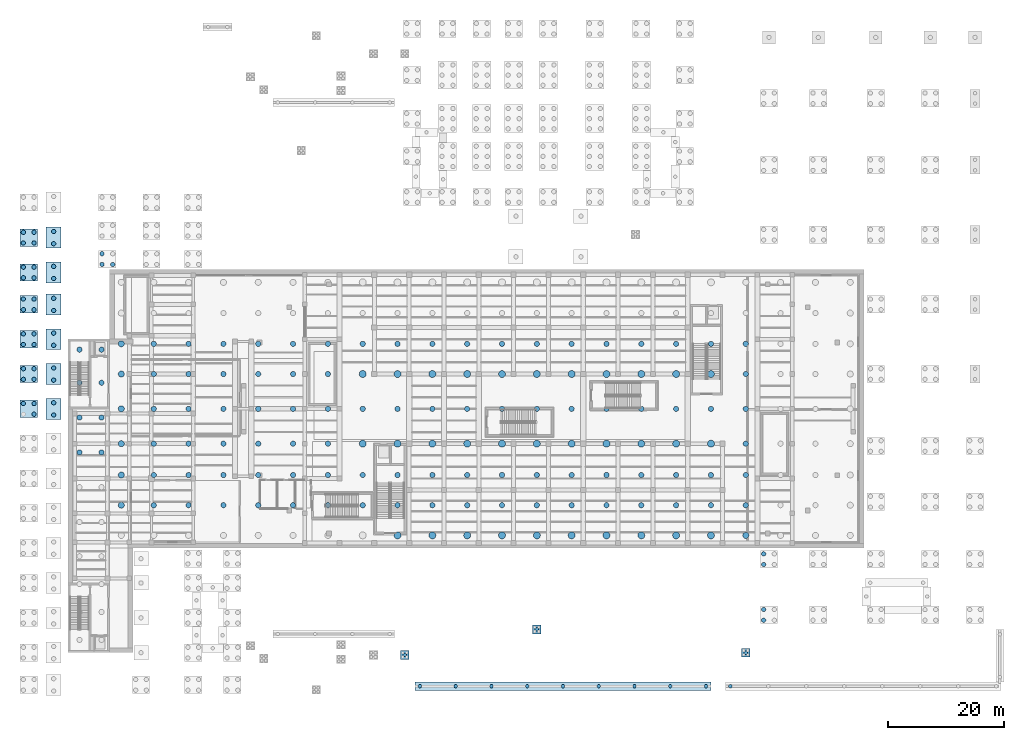
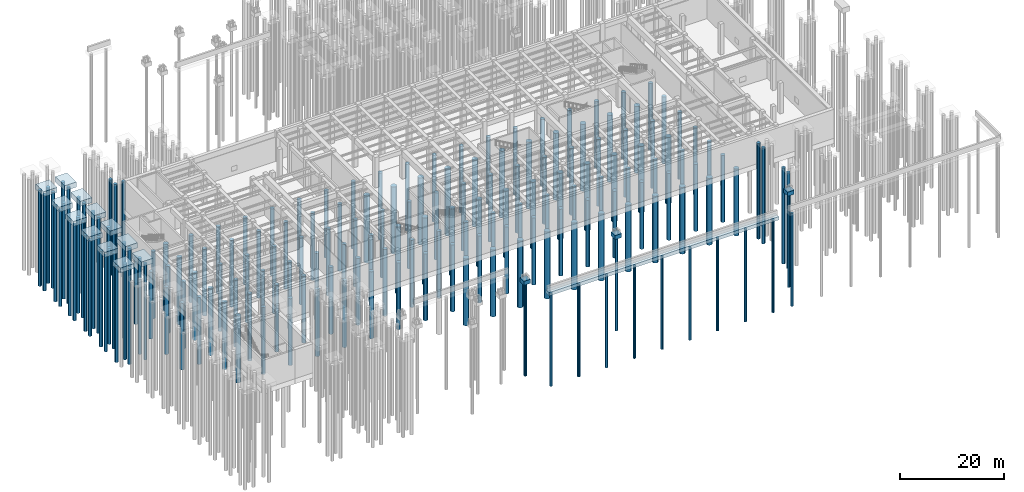
# One storey, part 2 of 30: 188 piles, 16 footings.
"""IFC4 building model written with IfcOpenShell, lengths in metres."""

import ifcopenshell
import ifcopenshell.guid

model = None  # the IFC model being written
_history = None  # IfcOwnerHistory: only IFC2X3 demands one
_inside = {}  # id of a spatial element -> (the spatial element, [elements in it])
_under = {}  # id of a project, library or spatial element -> (it, [spatial elements below it])
_declared = {}  # id of a project -> (the project, [libraries it declares])
_typed = {}  # id of a type object -> (the type object, [elements of that type])
_made_of = {}  # id of a material, layer set ... -> (it, [elements and type objects made of it])


def new_model(schema):
    """Start an empty IFC model of exactly this schema.

    Asked for "IFC4X3", IfcOpenShell would pick the latest addendum, in which some entities
    have other attributes; the version numbers below select the first issue.
    IFC2X3 requires an IfcOwnerHistory on every rooted entity: one is made here for all.
    """
    global model, _history
    if schema == "IFC4X3":
        model = ifcopenshell.file(schema_version=(4, 3, 0, 0))
    else:
        model = ifcopenshell.file(schema=schema)
    _inside.clear()
    _under.clear()
    _declared.clear()
    _typed.clear()
    _made_of.clear()
    _history = None
    if model.schema == "IFC2X3":
        org = make("IfcOrganization", Name="unknown")
        user = make(
            "IfcPersonAndOrganization",
            ThePerson=make("IfcPerson", FamilyName="unknown"),
            TheOrganization=org,
        )
        app = make(
            "IfcApplication",
            ApplicationDeveloper=org,
            Version="unknown",
            ApplicationFullName="unknown",
            ApplicationIdentifier="unknown",
        )
        _history = make(
            "IfcOwnerHistory",
            OwningUser=user,
            OwningApplication=app,
            ChangeAction="ADDED",
            CreationDate=0,
        )
    return model


def make(cls, **values):
    """One entity of the class cls with the attributes given. An attribute that is None is left unset."""
    return model.create_entity(
        cls, **{name: value for name, value in values.items() if value is not None}
    )


def rooted(cls, **values):
    """An entity with a GlobalId (a new one), such as an element, a storey or a relation."""
    return make(cls, GlobalId=ifcopenshell.guid.new(), OwnerHistory=_history, **values)


def si_unit(unit_type, name, prefix=None):
    """IfcSIUnit, for example si_unit("LENGTHUNIT", "METRE", prefix="MILLI")."""
    return make("IfcSIUnit", UnitType=unit_type, Prefix=prefix, Name=name)


def assignment(units):
    """IfcUnitAssignment: the units of a project."""
    return None if units is None else make("IfcUnitAssignment", Units=units)


def point(xyz):
    """IfcCartesianPoint."""
    return None if xyz is None else make("IfcCartesianPoint", Coordinates=xyz)


def direction(xyz):
    """IfcDirection."""
    return None if xyz is None else make("IfcDirection", DirectionRatios=xyz)


def frame(location, z_axis=None, x_axis=None):
    """IfcAxis2Placement3D, a coordinate frame: its origin and axes. An axis left out is left unset."""
    return make(
        "IfcAxis2Placement3D",
        Location=point(location),
        Axis=direction(z_axis),
        RefDirection=direction(x_axis),
    )


def frame_2d(location, x_axis=None):
    """IfcAxis2Placement2D, a coordinate frame in the plane: its origin and x axis."""
    return make(
        "IfcAxis2Placement2D", Location=point(location), RefDirection=direction(x_axis)
    )


def origin():
    """The frame at (0, 0, 0) with its axes left unset."""
    return frame((0.0, 0.0, 0.0))


def origin_2d():
    """The frame at (0, 0) in the plane with its x axis left unset."""
    return frame_2d((0.0, 0.0))


def place(relative_to, where):
    """IfcLocalPlacement: puts the frame where relative to a parent placement (None: the world)."""
    return make(
        "IfcLocalPlacement", PlacementRelTo=relative_to, RelativePlacement=where
    )


def context(
    kind, dimensions, precision=None, world=None, true_north=None, identifier=None
):
    """IfcGeometricRepresentationContext, for example the 3D "Model" context."""
    return make(
        "IfcGeometricRepresentationContext",
        ContextIdentifier=identifier,
        ContextType=kind,
        CoordinateSpaceDimension=dimensions,
        Precision=precision,
        WorldCoordinateSystem=world,
        TrueNorth=true_north,
    )


def subcontext(parent, identifier, kind, view, scale=None):
    """IfcGeometricRepresentationSubContext, for example "Body" below "Model"."""
    return make(
        "IfcGeometricRepresentationSubContext",
        ContextIdentifier=identifier,
        ContextType=kind,
        ParentContext=parent,
        TargetScale=scale,
        TargetView=view,
    )


def project(units=None, contexts=None):
    """IfcProject with its units and contexts."""
    return rooted(
        "IfcProject",
        Name="project",
        RepresentationContexts=contexts,
        UnitsInContext=assignment(units),
    )


def spatial(cls, under=None, at=None, **own):
    """A site, building, storey or space (cls), placed at a placement, below another one or the project."""
    s = rooted(cls, ObjectPlacement=at, **own)
    if under is not None:
        _under.setdefault(under.id(), (under, []))[1].append(s)
    return s


def profile(cls, at=None, kind="AREA", **sizes):
    """A parametric profile (cls). Its sizes go by their IFC names, for example OverallWidth=200.0."""
    return make(cls, ProfileType=kind, Position=at, **sizes)


def rectangle(**sizes):
    """IfcRectangleProfileDef."""
    return profile("IfcRectangleProfileDef", **sizes)


def circle(**sizes):
    """IfcCircleProfileDef."""
    return profile("IfcCircleProfileDef", **sizes)


def extrude(swept, where, along, depth):
    """IfcExtrudedAreaSolid: the profile swept, set in the frame where, extruded along a direction by depth."""
    return make(
        "IfcExtrudedAreaSolid",
        SweptArea=swept,
        Position=where,
        ExtrudedDirection=direction(along),
        Depth=depth,
    )


def shape(context_of_items, identifier, shape_type, items):
    """IfcShapeRepresentation: the items that make up one representation, for example the "Body"."""
    return make(
        "IfcShapeRepresentation",
        ContextOfItems=context_of_items,
        RepresentationIdentifier=identifier,
        RepresentationType=shape_type,
        Items=items,
    )


def material(Name=None, Category=None):
    """IfcMaterial."""
    return make("IfcMaterial", Name=Name, Category=Category)


def material_profile(
    of_material, cross_section, Name=None, Category=None, Priority=None
):
    """IfcMaterialProfile: a cross section and its material."""
    return make(
        "IfcMaterialProfile",
        Name=Name,
        Material=of_material,
        Profile=cross_section,
        Priority=Priority,
        Category=Category,
    )


def profile_set(profiles, Name=None, composite=None):
    """IfcMaterialProfileSet."""
    return make(
        "IfcMaterialProfileSet",
        Name=Name,
        MaterialProfiles=profiles,
        CompositeProfile=composite,
    )


def made_of(thing, what):
    """Note that an element or type object is made of a material, layer set ...; save() writes the relation."""
    if what is not None:
        _made_of.setdefault(what.id(), (what, []))[1].append(thing)
    return thing


def type_object(cls, material=None, **own):
    """A type object (cls), such as IfcWallType, which elements share."""
    return made_of(rooted(cls, **own), material)


def element(
    cls,
    number,
    at=None,
    inside=None,
    cuts=None,
    type_object=None,
    material=None,
    context=None,
    identifier="Body",
    shape_type=None,
    held_by="IfcProductDefinitionShape",
    body=None,
    shapes=None,
    **own,
):
    """One element of the class cls, such as IfcWall. Its Tag is "e" and its number.

    at: its placement. inside: the storey or other place that contains it. cuts: it is an
    opening in that element (IfcRelVoidsElement). A single representation is given by context,
    identifier, shape_type and body (its items); several are given by shapes. held_by: the class
    of the entity that holds the representations. save() writes the other relations.
    """
    e = rooted(cls, Tag="e%d" % number, ObjectPlacement=at, **own)
    if body is not None:
        shapes = [shape(context, identifier, shape_type, body)]
    if shapes is not None:
        e.Representation = make(held_by, Representations=shapes)
    if inside is not None:
        _inside.setdefault(inside.id(), (inside, []))[1].append(e)
    if cuts is not None:
        rooted(
            "IfcRelVoidsElement", RelatingBuildingElement=cuts, RelatedOpeningElement=e
        )
    if type_object is not None:
        _typed.setdefault(type_object.id(), (type_object, []))[1].append(e)
    return made_of(e, material)


def aggregate(whole, parts):
    """IfcRelAggregates: a whole, such as a stair, and the parts it consists of."""
    return rooted("IfcRelAggregates", RelatingObject=whole, RelatedObjects=parts)


def save(model, path):
    """Write the relations noted so far, then the file.

    IfcRelAggregates (storeys below a building ...), IfcRelContainedInSpatialStructure (elements
    in a storey), IfcRelDefinesByType, IfcRelAssociatesMaterial and IfcRelDeclares: one each for
    every whole, place, type object, material and project.
    """
    for whole, parts in _under.values():
        aggregate(whole, parts)
    for where, things in _inside.values():
        rooted(
            "IfcRelContainedInSpatialStructure",
            RelatedElements=things,
            RelatingStructure=where,
        )
    for kind, things in _typed.values():
        rooted("IfcRelDefinesByType", RelatedObjects=things, RelatingType=kind)
    for what, things in _made_of.values():
        rooted("IfcRelAssociatesMaterial", RelatedObjects=things, RelatingMaterial=what)
    for by, libraries in _declared.values():
        rooted("IfcRelDeclares", RelatingContext=by, RelatedDefinitions=libraries)
    model.write(path)


model = new_model("IFC4")

# Units and contexts
model_context = context("Model", 3, precision=1e-05, world=origin(), true_north=direction((0.0, 1.0)))
body_context = subcontext(model_context, "Body", "Model", "MODEL_VIEW")
ifc_project = project(units=[si_unit("LENGTHUNIT", "METRE"), si_unit("AREAUNIT", "SQUARE_METRE"), si_unit("VOLUMEUNIT", "CUBIC_METRE"), si_unit("PLANEANGLEUNIT", "RADIAN"), si_unit("MASSUNIT", "GRAM", prefix="KILO")], contexts=[model_context])

# Site, building, storey
site_placement = place(None, origin())
site = spatial("IfcSite", under=ifc_project, at=site_placement, CompositionType="ELEMENT")
building_placement = place(site_placement, origin())
building = spatial("IfcBuilding", under=site, at=building_placement, Name="Kolvaren Corner Interchange", CompositionType="ELEMENT")
storey_placement = place(building_placement, frame((0.0, 0.0, -7.199951171875)))
storey = spatial("IfcBuildingStorey", under=building, at=storey_placement, Name="B1", CompositionType="ELEMENT", Elevation=-7.199951171875)

# Footings
ifc_material_1 = material(Name="Concrete C40/50", Category="concrete")
footing_type_1 = type_object("IfcFootingType", Name="FC-3P", PredefinedType="PILE_CAP", material=ifc_material_1)
for number, where, z_axis, x_axis, name in (
    (1, (4.75, 48.0, 5.60009765625), (0.0, 0.0, 1.0), (1.0, 0.0, 0.0), "Reinforced Concrete Foundation Pile Cap 024"),
    (2, (4.75, 54.0, 5.60009765625), (0.0, 0.0, 1.0), (1.0, 0.0, 0.0), "Reinforced Concrete Foundation Pile Cap 025"),
    (3, (4.75, 60.0, 5.60009765625), (0.0, 0.0, 1.0), (1.0, 0.0, 0.0), "Reinforced Concrete Foundation Pile Cap 026"),
    (4, (4.75, 66.0, 5.60009765625), (0.0, 0.0, 1.0), (1.0, 0.0, 0.0), "Reinforced Concrete Foundation Pile Cap 027"),
    (5, (4.75, 71.5, 5.60009765625), (0.0, 0.0, 1.0), (1.0, 0.0, 0.0), "Reinforced Concrete Foundation Pile Cap 028"),
    (6, (4.75, 77.5, 5.60009765625), (0.0, 0.0, 1.0), (1.0, 0.0, 0.0), "Reinforced Concrete Foundation Pile Cap 029"),
):
    element("IfcFooting", number, at=place(storey_placement, frame(where, z_axis=z_axis, x_axis=x_axis)), inside=storey, type_object=footing_type_1, Name=name, PredefinedType="PILE_CAP", context=body_context, shape_type="SweptSolid", body=[
        extrude(rectangle(XDim=2.60009765625, YDim=3.60009765625, at=origin_2d()), origin(), (0.0, 0.0, 1.0), 1.199951171875),
    ])
ifc_material_2 = material(Name="Concrete C40/50", Category="concrete")
footing_type_2 = type_object("IfcFootingType", Name="FC-4P", PredefinedType="PILE_CAP", material=ifc_material_2)
for number, where, z_axis, x_axis, name in (
    (7, (0.449951171875, 48.0, 5.60009765625), (0.0, 0.0, 1.0), (1.0, 0.0, 0.0), "Reinforced Concrete Foundation Pile Cap 009"),
    (8, (0.449951171875, 54.0, 5.60009765625), (0.0, 0.0, 1.0), (1.0, 0.0, 0.0), "Reinforced Concrete Foundation Pile Cap 010"),
    (9, (0.449951171875, 60.0, 5.60009765625), (0.0, 0.0, 1.0), (1.0, 0.0, 0.0), "Reinforced Concrete Foundation Pile Cap 011"),
    (10, (0.449951171875, 66.0, 5.60009765625), (0.0, 0.0, 1.0), (1.0, 0.0, 0.0), "Reinforced Concrete Foundation Pile Cap 012"),
    (11, (0.449951171875, 71.5, 5.60009765625), (0.0, 0.0, 1.0), (1.0, 0.0, 0.0), "Reinforced Concrete Foundation Pile Cap 013"),
    (12, (0.449951171875, 77.5, 5.60009765625), (0.0, 0.0, 1.0), (1.0, 0.0, 0.0), "Reinforced Concrete Foundation Pile Cap 014"),
):
    element("IfcFooting", number, at=place(storey_placement, frame(where, z_axis=z_axis, x_axis=x_axis)), inside=storey, type_object=footing_type_2, Name=name, PredefinedType="PILE_CAP", context=body_context, shape_type="SweptSolid", body=[
        extrude(rectangle(XDim=3.0, YDim=3.0, at=origin_2d()), origin(), (0.0, 0.0, 1.0), 1.199951171875),
    ])
ifc_material_3 = material(Name="Concrete C40/50", Category="concrete")
footing_type_3 = type_object("IfcFootingType", Name="FD-PAD4", PredefinedType="PAD_FOOTING", material=ifc_material_3)
for number, where, z_axis, x_axis, name in (
    (13, (65.25, 5.60009765625, 5.02001953125), (0.0, 0.0, 1.0), (1.0, 0.0, 0.0), "Reinforced Concrete Foundation Pile Cap 144"),
    (14, (88.0, 10.0, 5.10986328125), (0.0, 0.0, 1.0), (1.0, 0.0, 0.0), "Reinforced Concrete Foundation Pile Cap 155"),
    (15, (124.0, 6.0, 5.10986328125), (0.0, 0.0, 1.0), (1.0, 0.0, 0.0), "Reinforced Concrete Foundation Pile Cap 158"),
):
    element("IfcFooting", number, at=place(storey_placement, frame(where, z_axis=z_axis, x_axis=x_axis)), inside=storey, type_object=footing_type_3, Name=name, PredefinedType="PAD_FOOTING", context=body_context, shape_type="SweptSolid", body=[
        extrude(rectangle(XDim=1.5, YDim=1.5, at=origin_2d()), origin(), (0.0, 0.0, 1.0), 0.949951171875),
    ])
ifc_material_4 = material(Name="Concrete C40/50", Category="concrete")
ifc_material_profile_1 = material_profile(ifc_material_4, rectangle(XDim=1.39990234375, YDim=0.800048828125, at=origin_2d()), Name="STRIP 1400x800")
ifc_profile_set_1 = profile_set([ifc_material_profile_1], Name="Concrete C40/50")
footing_type_4 = type_object("IfcFootingType", Name="FS-STRIP1", PredefinedType="STRIP_FOOTING", material=ifc_profile_set_1)
footing_placement = place(storey_placement, frame((67.0, 0.2099609375, 5.300048828125), z_axis=(1.0, 0.0, 0.0), x_axis=(0.0, 1.0, 0.0)))
element("IfcFooting", 16, at=footing_placement, inside=storey, type_object=footing_type_4, Name="South Forecourt Plinth Strip Footing", PredefinedType="STRIP_FOOTING", context=body_context, shape_type="SweptSolid", body=[
    extrude(rectangle(XDim=1.39990234375, YDim=0.800048828125, at=origin_2d()), origin(), (0.0, 0.0, 1.0), 51.0),
])

# Piles
ifc_material_5 = material(Name="Concrete C40/50", Category="concrete")
ifc_material_profile_2 = material_profile(ifc_material_5, circle(Radius=0.52490234375, at=origin_2d()), Name="BORED PILE 1050")
ifc_profile_set_2 = profile_set([ifc_material_profile_2], Name="Concrete C40/50")
pile_type_1 = type_object("IfcPileType", Name="PILE-BP1050", PredefinedType="BORED", material=ifc_profile_set_2)
for number, where, z_axis, x_axis, name in (
    (17, (16.39990234375, 31.39990234375, -1.10009765625), (0.0, 0.0, -1.0), (1.0, 0.0, 0.0), "Metro Base Raft Rotary Bored Pile 0002"),
    (18, (16.39990234375, 36.60009765625, -1.10009765625), (0.0, 0.0, -1.0), (1.0, 0.0, 0.0), "Metro Base Raft Rotary Bored Pile 0003"),
    (19, (16.39990234375, 42.0, -1.10009765625), (0.0, 0.0, -1.0), (1.0, 0.0, 0.0), "Metro Base Raft Rotary Bored Pile 0004"),
    (20, (16.39990234375, 48.0, -1.10009765625), (0.0, 0.0, -1.0), (1.0, 0.0, 0.0), "Metro Base Raft Rotary Bored Pile 0005"),
    (21, (16.39990234375, 54.0, -1.10009765625), (0.0, 0.0, -1.0), (1.0, 0.0, 0.0), "Metro Base Raft Rotary Bored Pile 0006"),
    (22, (16.39990234375, 59.199951171875, -1.10009765625), (0.0, 0.0, -1.0), (1.0, 0.0, 0.0), "Metro Base Raft Rotary Bored Pile 0007"),
    (23, (124.0, 26.199951171875, -1.10009765625), (0.0, 0.0, -1.0), (1.0, 0.0, 0.0), "Metro Base Raft Rotary Bored Pile 0163"),
):
    element("IfcPile", number, at=place(storey_placement, frame(where, z_axis=z_axis, x_axis=x_axis)), inside=storey, type_object=pile_type_1, Name=name, PredefinedType="BORED", context=body_context, shape_type="SweptSolid", body=[
        extrude(circle(Radius=0.52490234375, at=origin_2d()), origin(), (0.0, 0.0, 1.0), 15.699951171875),
    ])
ifc_material_6 = material(Name="Concrete C40/50", Category="concrete")
ifc_material_profile_3 = material_profile(ifc_material_6, circle(Radius=0.60009765625, at=origin_2d()), Name="BORED PILE 1200")
ifc_profile_set_3 = profile_set([ifc_material_profile_3], Name="Concrete C40/50")
pile_type_2 = type_object("IfcPileType", Name="PILE-BP1200", PredefinedType="BORED", material=ifc_profile_set_3)
for number, where, z_axis, x_axis, name in (
    (24, (58.0, 42.0, -1.10009765625), (0.0, 0.0, -1.0), (1.0, 0.0, 0.0), "Metro Base Raft Rotary Bored Pile 0067"),
    (25, (58.0, 54.0, -1.10009765625), (0.0, 0.0, -1.0), (1.0, 0.0, 0.0), "Metro Base Raft Rotary Bored Pile 0069"),
    (26, (64.0, 26.199951171875, -1.10009765625), (0.0, 0.0, -1.0), (1.0, 0.0, 0.0), "Metro Base Raft Rotary Bored Pile 0073"),
    (27, (64.0, 42.0, -1.10009765625), (0.0, 0.0, -1.0), (1.0, 0.0, 0.0), "Metro Base Raft Rotary Bored Pile 0076"),
    (28, (64.0, 54.0, -1.10009765625), (0.0, 0.0, -1.0), (1.0, 0.0, 0.0), "Metro Base Raft Rotary Bored Pile 0078"),
    (29, (70.0, 26.199951171875, -1.10009765625), (0.0, 0.0, -1.0), (1.0, 0.0, 0.0), "Metro Base Raft Rotary Bored Pile 0082"),
    (30, (70.0, 42.0, -1.10009765625), (0.0, 0.0, -1.0), (1.0, 0.0, 0.0), "Metro Base Raft Rotary Bored Pile 0085"),
    (31, (70.0, 54.0, -1.10009765625), (0.0, 0.0, -1.0), (1.0, 0.0, 0.0), "Metro Base Raft Rotary Bored Pile 0087"),
    (32, (76.0, 26.199951171875, -1.10009765625), (0.0, 0.0, -1.0), (1.0, 0.0, 0.0), "Metro Base Raft Rotary Bored Pile 0091"),
    (33, (76.0, 42.0, -1.10009765625), (0.0, 0.0, -1.0), (1.0, 0.0, 0.0), "Metro Base Raft Rotary Bored Pile 0094"),
    (34, (76.0, 54.0, -1.10009765625), (0.0, 0.0, -1.0), (1.0, 0.0, 0.0), "Metro Base Raft Rotary Bored Pile 0096"),
    (35, (82.0, 26.199951171875, -1.10009765625), (0.0, 0.0, -1.0), (1.0, 0.0, 0.0), "Metro Base Raft Rotary Bored Pile 0100"),
    (36, (82.0, 42.0, -1.10009765625), (0.0, 0.0, -1.0), (1.0, 0.0, 0.0), "Metro Base Raft Rotary Bored Pile 0103"),
    (37, (82.0, 54.0, -1.10009765625), (0.0, 0.0, -1.0), (1.0, 0.0, 0.0), "Metro Base Raft Rotary Bored Pile 0105"),
    (38, (88.0, 26.199951171875, -1.10009765625), (0.0, 0.0, -1.0), (1.0, 0.0, 0.0), "Metro Base Raft Rotary Bored Pile 0109"),
    (39, (88.0, 42.0, -1.10009765625), (0.0, 0.0, -1.0), (1.0, 0.0, 0.0), "Metro Base Raft Rotary Bored Pile 0112"),
    (40, (88.0, 54.0, -1.10009765625), (0.0, 0.0, -1.0), (1.0, 0.0, 0.0), "Metro Base Raft Rotary Bored Pile 0114"),
    (41, (94.0, 26.199951171875, -1.10009765625), (0.0, 0.0, -1.0), (1.0, 0.0, 0.0), "Metro Base Raft Rotary Bored Pile 0118"),
    (42, (94.0, 42.0, -1.10009765625), (0.0, 0.0, -1.0), (1.0, 0.0, 0.0), "Metro Base Raft Rotary Bored Pile 0121"),
    (43, (94.0, 54.0, -1.10009765625), (0.0, 0.0, -1.0), (1.0, 0.0, 0.0), "Metro Base Raft Rotary Bored Pile 0123"),
    (44, (100.0, 26.199951171875, -1.10009765625), (0.0, 0.0, -1.0), (1.0, 0.0, 0.0), "Metro Base Raft Rotary Bored Pile 0127"),
    (45, (100.0, 42.0, -1.10009765625), (0.0, 0.0, -1.0), (1.0, 0.0, 0.0), "Metro Base Raft Rotary Bored Pile 0130"),
    (46, (100.0, 54.0, -1.10009765625), (0.0, 0.0, -1.0), (1.0, 0.0, 0.0), "Metro Base Raft Rotary Bored Pile 0132"),
    (47, (106.0, 26.199951171875, -1.10009765625), (0.0, 0.0, -1.0), (1.0, 0.0, 0.0), "Metro Base Raft Rotary Bored Pile 0136"),
    (48, (106.0, 42.0, -1.10009765625), (0.0, 0.0, -1.0), (1.0, 0.0, 0.0), "Metro Base Raft Rotary Bored Pile 0139"),
    (49, (106.0, 54.0, -1.10009765625), (0.0, 0.0, -1.0), (1.0, 0.0, 0.0), "Metro Base Raft Rotary Bored Pile 0141"),
    (50, (112.0, 26.199951171875, -1.10009765625), (0.0, 0.0, -1.0), (1.0, 0.0, 0.0), "Metro Base Raft Rotary Bored Pile 0145"),
    (51, (112.0, 42.0, -1.10009765625), (0.0, 0.0, -1.0), (1.0, 0.0, 0.0), "Metro Base Raft Rotary Bored Pile 0148"),
    (52, (112.0, 54.0, -1.10009765625), (0.0, 0.0, -1.0), (1.0, 0.0, 0.0), "Metro Base Raft Rotary Bored Pile 0150"),
    (53, (118.0, 26.199951171875, -1.10009765625), (0.0, 0.0, -1.0), (1.0, 0.0, 0.0), "Metro Base Raft Rotary Bored Pile 0154"),
    (54, (118.0, 42.0, -1.10009765625), (0.0, 0.0, -1.0), (1.0, 0.0, 0.0), "Metro Base Raft Rotary Bored Pile 0157"),
    (55, (118.0, 54.0, -1.10009765625), (0.0, 0.0, -1.0), (1.0, 0.0, 0.0), "Metro Base Raft Rotary Bored Pile 0159"),
):
    element("IfcPile", number, at=place(storey_placement, frame(where, z_axis=z_axis, x_axis=x_axis)), inside=storey, type_object=pile_type_2, Name=name, PredefinedType="BORED", context=body_context, shape_type="SweptSolid", body=[
        extrude(circle(Radius=0.60009765625, at=origin_2d()), origin(), (0.0, 0.0, 1.0), 15.699951171875),
    ])
ifc_material_7 = material(Name="Concrete C40/50", Category="concrete")
ifc_material_profile_4 = material_profile(ifc_material_7, circle(Radius=0.300048828125, at=origin_2d()), Name="BORED PILE 600")
ifc_profile_set_4 = profile_set([ifc_material_profile_4], Name="Concrete C40/50")
pile_type_3 = type_object("IfcPileType", Name="PILE-BP600", PredefinedType="BORED", material=ifc_profile_set_4)
for number, where, z_axis, x_axis, name in (
    (56, (67.85009765625, 0.2099609375, 5.0), (0.0, 0.0, -1.0), (1.0, 0.0, 0.0), "South Forecourt Plinth Strip Footing Bored Pile 001"),
    (57, (74.012451171875, 0.2099609375, 5.0), (0.0, 0.0, -1.0), (1.0, 0.0, 0.0), "South Forecourt Plinth Strip Footing Bored Pile 002"),
    (58, (80.175048828125, 0.2099609375, 5.0), (0.0, 0.0, -1.0), (1.0, 0.0, 0.0), "South Forecourt Plinth Strip Footing Bored Pile 003"),
    (59, (86.33740234375, 0.2099609375, 5.0), (0.0, 0.0, -1.0), (1.0, 0.0, 0.0), "South Forecourt Plinth Strip Footing Bored Pile 004"),
    (60, (92.5, 0.2099609375, 5.0), (0.0, 0.0, -1.0), (1.0, 0.0, 0.0), "South Forecourt Plinth Strip Footing Bored Pile 005"),
    (61, (98.66259765625, 0.2099609375, 5.0), (0.0, 0.0, -1.0), (1.0, 0.0, 0.0), "South Forecourt Plinth Strip Footing Bored Pile 006"),
    (62, (104.824951171875, 0.2099609375, 5.0), (0.0, 0.0, -1.0), (1.0, 0.0, 0.0), "South Forecourt Plinth Strip Footing Bored Pile 007"),
    (63, (110.987548828125, 0.2099609375, 5.0), (0.0, 0.0, -1.0), (1.0, 0.0, 0.0), "South Forecourt Plinth Strip Footing Bored Pile 008"),
    (64, (117.14990234375, 0.2099609375, 5.0), (0.0, 0.0, -1.0), (1.0, 0.0, 0.0), "South Forecourt Plinth Strip Footing Bored Pile 009"),
    (65, (121.35009765625, 0.2099609375, 5.0), (0.0, 0.0, -1.0), (1.0, 0.0, 0.0), "Southeast Bus Apron Plinth Strip Footing Bored Pile 010"),
):
    element("IfcPile", number, at=place(storey_placement, frame(where, z_axis=z_axis, x_axis=x_axis)), inside=storey, type_object=pile_type_3, Name=name, PredefinedType="BORED", context=body_context, shape_type="SweptSolid", body=[
        extrude(circle(Radius=0.300048828125, at=origin_2d()), origin(), (0.0, 0.0, 1.0), 21.800048828125),
    ])
pile_placement = place(storey_placement, frame((65.25, 5.60009765625, 5.119873046875), z_axis=(0.0, 0.0, -1.0), x_axis=(1.0, 0.0, 0.0)))
element("IfcPile", 66, at=pile_placement, inside=storey, type_object=pile_type_3, Name="Pile Cap Rotary Bored Pile 0521", PredefinedType="BORED", context=body_context, shape_type="SweptSolid", body=[
    extrude(circle(Radius=0.300048828125, at=origin_2d()), origin(), (0.0, 0.0, 1.0), 21.919921875),
])
for number, where, z_axis, x_axis, name in (
    (67, (88.0, 10.0, 5.2099609375), (0.0, 0.0, -1.0), (1.0, 0.0, 0.0), "Pile Cap Rotary Bored Pile 0532"),
    (68, (124.0, 6.0, 5.2099609375), (0.0, 0.0, -1.0), (1.0, 0.0, 0.0), "Pile Cap Rotary Bored Pile 0535"),
):
    element("IfcPile", number, at=place(storey_placement, frame(where, z_axis=z_axis, x_axis=x_axis)), inside=storey, type_object=pile_type_3, Name=name, PredefinedType="BORED", context=body_context, shape_type="SweptSolid", body=[
        extrude(circle(Radius=0.300048828125, at=origin_2d()), origin(), (0.0, 0.0, 1.0), 22.010009765625),
    ])
ifc_material_8 = material(Name="Concrete C40/50", Category="concrete")
ifc_material_profile_5 = material_profile(ifc_material_8, circle(Radius=0.375, at=origin_2d()), Name="BORED PILE 750")
ifc_profile_set_5 = profile_set([ifc_material_profile_5], Name="Concrete C40/50")
pile_type_4 = type_object("IfcPileType", Name="PILE-BP750", PredefinedType="BORED", material=ifc_profile_set_5)
for number, where, z_axis, x_axis, name in (
    (69, (1.3701171875, 47.080078125, 5.699951171875), (0.0, 0.0, -1.0), (1.0, 0.0, 0.0), "Pile Cap Rotary Bored Pile 0034"),
    (70, (-0.469970703125, 48.919921875, 5.699951171875), (0.0, 0.0, -1.0), (1.0, 0.0, 0.0), "Pile Cap Rotary Bored Pile 0035"),
    (71, (1.3701171875, 48.919921875, 5.699951171875), (0.0, 0.0, -1.0), (1.0, 0.0, 0.0), "Pile Cap Rotary Bored Pile 0036"),
    (72, (-0.469970703125, 53.080078125, 5.699951171875), (0.0, 0.0, -1.0), (1.0, 0.0, 0.0), "Pile Cap Rotary Bored Pile 0037"),
    (73, (1.3701171875, 53.080078125, 5.699951171875), (0.0, 0.0, -1.0), (1.0, 0.0, 0.0), "Pile Cap Rotary Bored Pile 0038"),
    (74, (-0.469970703125, 54.919921875, 5.699951171875), (0.0, 0.0, -1.0), (1.0, 0.0, 0.0), "Pile Cap Rotary Bored Pile 0039"),
    (75, (1.3701171875, 54.919921875, 5.699951171875), (0.0, 0.0, -1.0), (1.0, 0.0, 0.0), "Pile Cap Rotary Bored Pile 0040"),
    (76, (-0.469970703125, 59.080078125, 5.699951171875), (0.0, 0.0, -1.0), (1.0, 0.0, 0.0), "Pile Cap Rotary Bored Pile 0041"),
    (77, (1.3701171875, 59.080078125, 5.699951171875), (0.0, 0.0, -1.0), (1.0, 0.0, 0.0), "Pile Cap Rotary Bored Pile 0042"),
    (78, (-0.469970703125, 60.919921875, 5.699951171875), (0.0, 0.0, -1.0), (1.0, 0.0, 0.0), "Pile Cap Rotary Bored Pile 0043"),
    (79, (1.3701171875, 60.919921875, 5.699951171875), (0.0, 0.0, -1.0), (1.0, 0.0, 0.0), "Pile Cap Rotary Bored Pile 0044"),
    (80, (-0.469970703125, 65.080078125, 5.699951171875), (0.0, 0.0, -1.0), (1.0, 0.0, 0.0), "Pile Cap Rotary Bored Pile 0045"),
    (81, (1.3701171875, 65.080078125, 5.699951171875), (0.0, 0.0, -1.0), (1.0, 0.0, 0.0), "Pile Cap Rotary Bored Pile 0046"),
    (82, (-0.469970703125, 66.919921875, 5.699951171875), (0.0, 0.0, -1.0), (1.0, 0.0, 0.0), "Pile Cap Rotary Bored Pile 0047"),
    (83, (1.3701171875, 66.919921875, 5.699951171875), (0.0, 0.0, -1.0), (1.0, 0.0, 0.0), "Pile Cap Rotary Bored Pile 0048"),
    (84, (-0.469970703125, 70.580078125, 5.699951171875), (0.0, 0.0, -1.0), (1.0, 0.0, 0.0), "Pile Cap Rotary Bored Pile 0049"),
    (85, (1.3701171875, 70.580078125, 5.699951171875), (0.0, 0.0, -1.0), (1.0, 0.0, 0.0), "Pile Cap Rotary Bored Pile 0050"),
    (86, (-0.469970703125, 72.419921875, 5.699951171875), (0.0, 0.0, -1.0), (1.0, 0.0, 0.0), "Pile Cap Rotary Bored Pile 0051"),
    (87, (1.3701171875, 72.419921875, 5.699951171875), (0.0, 0.0, -1.0), (1.0, 0.0, 0.0), "Pile Cap Rotary Bored Pile 0052"),
    (88, (-0.469970703125, 76.580078125, 5.699951171875), (0.0, 0.0, -1.0), (1.0, 0.0, 0.0), "Pile Cap Rotary Bored Pile 0053"),
    (89, (1.3701171875, 76.580078125, 5.699951171875), (0.0, 0.0, -1.0), (1.0, 0.0, 0.0), "Pile Cap Rotary Bored Pile 0054"),
    (90, (-0.469970703125, 78.419921875, 5.699951171875), (0.0, 0.0, -1.0), (1.0, 0.0, 0.0), "Pile Cap Rotary Bored Pile 0055"),
    (91, (1.3701171875, 78.419921875, 5.699951171875), (0.0, 0.0, -1.0), (1.0, 0.0, 0.0), "Pile Cap Rotary Bored Pile 0056"),
    (92, (4.75, 46.949951171875, 5.699951171875), (0.0, 0.0, -1.0), (1.0, 0.0, 0.0), "Pile Cap Rotary Bored Pile 0077"),
    (93, (4.75, 49.050048828125, 5.699951171875), (0.0, 0.0, -1.0), (1.0, 0.0, 0.0), "Pile Cap Rotary Bored Pile 0078"),
    (94, (4.75, 52.949951171875, 5.699951171875), (0.0, 0.0, -1.0), (1.0, 0.0, 0.0), "Pile Cap Rotary Bored Pile 0079"),
    (95, (4.75, 55.050048828125, 5.699951171875), (0.0, 0.0, -1.0), (1.0, 0.0, 0.0), "Pile Cap Rotary Bored Pile 0080"),
    (96, (4.75, 58.949951171875, 5.699951171875), (0.0, 0.0, -1.0), (1.0, 0.0, 0.0), "Pile Cap Rotary Bored Pile 0081"),
    (97, (4.75, 61.050048828125, 5.699951171875), (0.0, 0.0, -1.0), (1.0, 0.0, 0.0), "Pile Cap Rotary Bored Pile 0082"),
    (98, (4.75, 64.949951171875, 5.699951171875), (0.0, 0.0, -1.0), (1.0, 0.0, 0.0), "Pile Cap Rotary Bored Pile 0083"),
    (99, (4.75, 67.050048828125, 5.699951171875), (0.0, 0.0, -1.0), (1.0, 0.0, 0.0), "Pile Cap Rotary Bored Pile 0084"),
    (100, (4.75, 70.449951171875, 5.699951171875), (0.0, 0.0, -1.0), (1.0, 0.0, 0.0), "Pile Cap Rotary Bored Pile 0085"),
    (101, (4.75, 72.550048828125, 5.699951171875), (0.0, 0.0, -1.0), (1.0, 0.0, 0.0), "Pile Cap Rotary Bored Pile 0086"),
    (102, (4.75, 76.449951171875, 5.699951171875), (0.0, 0.0, -1.0), (1.0, 0.0, 0.0), "Pile Cap Rotary Bored Pile 0087"),
    (103, (4.75, 78.550048828125, 5.699951171875), (0.0, 0.0, -1.0), (1.0, 0.0, 0.0), "Pile Cap Rotary Bored Pile 0088"),
    (104, (13.080078125, 72.8798828125, 5.699951171875), (0.0, 0.0, -1.0), (1.0, 0.0, 0.0), "Pile Cap Rotary Bored Pile 0139"),
    (105, (14.919921875, 72.8798828125, 5.699951171875), (0.0, 0.0, -1.0), (1.0, 0.0, 0.0), "Pile Cap Rotary Bored Pile 0140"),
    (106, (13.080078125, 74.719970703125, 5.699951171875), (0.0, 0.0, -1.0), (1.0, 0.0, 0.0), "Pile Cap Rotary Bored Pile 0141"),
    (107, (127.080078125, 11.580078125, 5.699951171875), (0.0, 0.0, -1.0), (1.0, 0.0, 0.0), "Pile Cap Rotary Bored Pile 0375"),
    (108, (127.080078125, 13.419921875, 5.699951171875), (0.0, 0.0, -1.0), (1.0, 0.0, 0.0), "Pile Cap Rotary Bored Pile 0377"),
    (109, (127.080078125, 21.179931640625, 5.699951171875), (0.0, 0.0, -1.0), (1.0, 0.0, 0.0), "Pile Cap Rotary Bored Pile 0379"),
    (110, (127.080078125, 23.02001953125, 5.699951171875), (0.0, 0.0, -1.0), (1.0, 0.0, 0.0), "Pile Cap Rotary Bored Pile 0381"),
):
    element("IfcPile", number, at=place(storey_placement, frame(where, z_axis=z_axis, x_axis=x_axis)), inside=storey, type_object=pile_type_4, Name=name, PredefinedType="BORED", context=body_context, shape_type="SweptSolid", body=[
        extrude(circle(Radius=0.375, at=origin_2d()), origin(), (0.0, 0.0, 1.0), 22.5),
    ])
ifc_material_9 = material(Name="Concrete C40/50", Category="concrete")
ifc_material_profile_6 = material_profile(ifc_material_9, circle(Radius=0.449951171875, at=origin_2d()), Name="BORED PILE 900")
ifc_profile_set_6 = profile_set([ifc_material_profile_6], Name="Concrete C40/50")
pile_type_5 = type_object("IfcPileType", Name="PILE-BP900", PredefinedType="BORED", material=ifc_profile_set_6)
for number, where, z_axis, x_axis, name in (
    (111, (22.0, 31.39990234375, -1.10009765625), (0.0, 0.0, -1.0), (1.0, 0.0, 0.0), "Metro Base Raft Rotary Bored Pile 0011"),
    (112, (22.0, 36.60009765625, -1.10009765625), (0.0, 0.0, -1.0), (1.0, 0.0, 0.0), "Metro Base Raft Rotary Bored Pile 0012"),
    (113, (22.0, 42.0, -1.10009765625), (0.0, 0.0, -1.0), (1.0, 0.0, 0.0), "Metro Base Raft Rotary Bored Pile 0013"),
    (114, (22.0, 48.0, -1.10009765625), (0.0, 0.0, -1.0), (1.0, 0.0, 0.0), "Metro Base Raft Rotary Bored Pile 0014"),
    (115, (22.0, 54.0, -1.10009765625), (0.0, 0.0, -1.0), (1.0, 0.0, 0.0), "Metro Base Raft Rotary Bored Pile 0015"),
    (116, (22.0, 59.199951171875, -1.10009765625), (0.0, 0.0, -1.0), (1.0, 0.0, 0.0), "Metro Base Raft Rotary Bored Pile 0016"),
    (117, (28.0, 31.39990234375, -1.10009765625), (0.0, 0.0, -1.0), (1.0, 0.0, 0.0), "Metro Base Raft Rotary Bored Pile 0020"),
    (118, (28.0, 36.60009765625, -1.10009765625), (0.0, 0.0, -1.0), (1.0, 0.0, 0.0), "Metro Base Raft Rotary Bored Pile 0021"),
    (119, (28.0, 42.0, -1.10009765625), (0.0, 0.0, -1.0), (1.0, 0.0, 0.0), "Metro Base Raft Rotary Bored Pile 0022"),
    (120, (28.0, 48.0, -1.10009765625), (0.0, 0.0, -1.0), (1.0, 0.0, 0.0), "Metro Base Raft Rotary Bored Pile 0023"),
    (121, (28.0, 54.0, -1.10009765625), (0.0, 0.0, -1.0), (1.0, 0.0, 0.0), "Metro Base Raft Rotary Bored Pile 0024"),
    (122, (28.0, 59.199951171875, -1.10009765625), (0.0, 0.0, -1.0), (1.0, 0.0, 0.0), "Metro Base Raft Rotary Bored Pile 0025"),
    (123, (34.0, 31.39990234375, -1.10009765625), (0.0, 0.0, -1.0), (1.0, 0.0, 0.0), "Metro Base Raft Rotary Bored Pile 0029"),
    (124, (34.0, 36.60009765625, -1.10009765625), (0.0, 0.0, -1.0), (1.0, 0.0, 0.0), "Metro Base Raft Rotary Bored Pile 0030"),
    (125, (34.0, 42.0, -1.10009765625), (0.0, 0.0, -1.0), (1.0, 0.0, 0.0), "Metro Base Raft Rotary Bored Pile 0031"),
    (126, (34.0, 48.0, -1.10009765625), (0.0, 0.0, -1.0), (1.0, 0.0, 0.0), "Metro Base Raft Rotary Bored Pile 0032"),
    (127, (34.0, 54.0, -1.10009765625), (0.0, 0.0, -1.0), (1.0, 0.0, 0.0), "Metro Base Raft Rotary Bored Pile 0033"),
    (128, (34.0, 59.199951171875, -1.10009765625), (0.0, 0.0, -1.0), (1.0, 0.0, 0.0), "Metro Base Raft Rotary Bored Pile 0034"),
    (129, (40.0, 31.39990234375, -1.10009765625), (0.0, 0.0, -1.0), (1.0, 0.0, 0.0), "Metro Base Raft Rotary Bored Pile 0038"),
    (130, (40.0, 36.60009765625, -1.10009765625), (0.0, 0.0, -1.0), (1.0, 0.0, 0.0), "Metro Base Raft Rotary Bored Pile 0039"),
    (131, (40.0, 42.0, -1.10009765625), (0.0, 0.0, -1.0), (1.0, 0.0, 0.0), "Metro Base Raft Rotary Bored Pile 0040"),
    (132, (40.0, 48.0, -1.10009765625), (0.0, 0.0, -1.0), (1.0, 0.0, 0.0), "Metro Base Raft Rotary Bored Pile 0041"),
    (133, (40.0, 54.0, -1.10009765625), (0.0, 0.0, -1.0), (1.0, 0.0, 0.0), "Metro Base Raft Rotary Bored Pile 0042"),
    (134, (40.0, 59.199951171875, -1.10009765625), (0.0, 0.0, -1.0), (1.0, 0.0, 0.0), "Metro Base Raft Rotary Bored Pile 0043"),
    (135, (46.0, 31.39990234375, -1.10009765625), (0.0, 0.0, -1.0), (1.0, 0.0, 0.0), "Metro Base Raft Rotary Bored Pile 0047"),
    (136, (46.0, 36.60009765625, -1.10009765625), (0.0, 0.0, -1.0), (1.0, 0.0, 0.0), "Metro Base Raft Rotary Bored Pile 0048"),
    (137, (46.0, 42.0, -1.10009765625), (0.0, 0.0, -1.0), (1.0, 0.0, 0.0), "Metro Base Raft Rotary Bored Pile 0049"),
    (138, (46.0, 48.0, -1.10009765625), (0.0, 0.0, -1.0), (1.0, 0.0, 0.0), "Metro Base Raft Rotary Bored Pile 0050"),
    (139, (46.0, 54.0, -1.10009765625), (0.0, 0.0, -1.0), (1.0, 0.0, 0.0), "Metro Base Raft Rotary Bored Pile 0051"),
    (140, (46.0, 59.199951171875, -1.10009765625), (0.0, 0.0, -1.0), (1.0, 0.0, 0.0), "Metro Base Raft Rotary Bored Pile 0052"),
    (141, (52.0, 31.39990234375, -1.10009765625), (0.0, 0.0, -1.0), (1.0, 0.0, 0.0), "Metro Base Raft Rotary Bored Pile 0056"),
    (142, (52.0, 36.60009765625, -1.10009765625), (0.0, 0.0, -1.0), (1.0, 0.0, 0.0), "Metro Base Raft Rotary Bored Pile 0057"),
    (143, (52.0, 42.0, -1.10009765625), (0.0, 0.0, -1.0), (1.0, 0.0, 0.0), "Metro Base Raft Rotary Bored Pile 0058"),
    (144, (52.0, 48.0, -1.10009765625), (0.0, 0.0, -1.0), (1.0, 0.0, 0.0), "Metro Base Raft Rotary Bored Pile 0059"),
    (145, (52.0, 54.0, -1.10009765625), (0.0, 0.0, -1.0), (1.0, 0.0, 0.0), "Metro Base Raft Rotary Bored Pile 0060"),
    (146, (52.0, 59.199951171875, -1.10009765625), (0.0, 0.0, -1.0), (1.0, 0.0, 0.0), "Metro Base Raft Rotary Bored Pile 0061"),
    (147, (58.0, 31.39990234375, -1.10009765625), (0.0, 0.0, -1.0), (1.0, 0.0, 0.0), "Metro Base Raft Rotary Bored Pile 0065"),
    (148, (58.0, 36.60009765625, -1.10009765625), (0.0, 0.0, -1.0), (1.0, 0.0, 0.0), "Metro Base Raft Rotary Bored Pile 0066"),
    (149, (58.0, 48.0, -1.10009765625), (0.0, 0.0, -1.0), (1.0, 0.0, 0.0), "Metro Base Raft Rotary Bored Pile 0068"),
    (150, (58.0, 59.199951171875, -1.10009765625), (0.0, 0.0, -1.0), (1.0, 0.0, 0.0), "Metro Base Raft Rotary Bored Pile 0070"),
    (151, (64.0, 31.39990234375, -1.10009765625), (0.0, 0.0, -1.0), (1.0, 0.0, 0.0), "Metro Base Raft Rotary Bored Pile 0074"),
    (152, (64.0, 36.60009765625, -1.10009765625), (0.0, 0.0, -1.0), (1.0, 0.0, 0.0), "Metro Base Raft Rotary Bored Pile 0075"),
    (153, (64.0, 48.0, -1.10009765625), (0.0, 0.0, -1.0), (1.0, 0.0, 0.0), "Metro Base Raft Rotary Bored Pile 0077"),
    (154, (64.0, 59.199951171875, -1.10009765625), (0.0, 0.0, -1.0), (1.0, 0.0, 0.0), "Metro Base Raft Rotary Bored Pile 0079"),
    (155, (70.0, 31.39990234375, -1.10009765625), (0.0, 0.0, -1.0), (1.0, 0.0, 0.0), "Metro Base Raft Rotary Bored Pile 0083"),
    (156, (70.0, 36.60009765625, -1.10009765625), (0.0, 0.0, -1.0), (1.0, 0.0, 0.0), "Metro Base Raft Rotary Bored Pile 0084"),
    (157, (70.0, 48.0, -1.10009765625), (0.0, 0.0, -1.0), (1.0, 0.0, 0.0), "Metro Base Raft Rotary Bored Pile 0086"),
    (158, (70.0, 59.199951171875, -1.10009765625), (0.0, 0.0, -1.0), (1.0, 0.0, 0.0), "Metro Base Raft Rotary Bored Pile 0088"),
    (159, (76.0, 31.39990234375, -1.10009765625), (0.0, 0.0, -1.0), (1.0, 0.0, 0.0), "Metro Base Raft Rotary Bored Pile 0092"),
    (160, (76.0, 36.60009765625, -1.10009765625), (0.0, 0.0, -1.0), (1.0, 0.0, 0.0), "Metro Base Raft Rotary Bored Pile 0093"),
    (161, (76.0, 48.0, -1.10009765625), (0.0, 0.0, -1.0), (1.0, 0.0, 0.0), "Metro Base Raft Rotary Bored Pile 0095"),
    (162, (76.0, 59.199951171875, -1.10009765625), (0.0, 0.0, -1.0), (1.0, 0.0, 0.0), "Metro Base Raft Rotary Bored Pile 0097"),
    (163, (82.0, 31.39990234375, -1.10009765625), (0.0, 0.0, -1.0), (1.0, 0.0, 0.0), "Metro Base Raft Rotary Bored Pile 0101"),
    (164, (82.0, 36.60009765625, -1.10009765625), (0.0, 0.0, -1.0), (1.0, 0.0, 0.0), "Metro Base Raft Rotary Bored Pile 0102"),
    (165, (82.0, 48.0, -1.10009765625), (0.0, 0.0, -1.0), (1.0, 0.0, 0.0), "Metro Base Raft Rotary Bored Pile 0104"),
    (166, (82.0, 59.199951171875, -1.10009765625), (0.0, 0.0, -1.0), (1.0, 0.0, 0.0), "Metro Base Raft Rotary Bored Pile 0106"),
    (167, (88.0, 31.39990234375, -1.10009765625), (0.0, 0.0, -1.0), (1.0, 0.0, 0.0), "Metro Base Raft Rotary Bored Pile 0110"),
    (168, (88.0, 36.60009765625, -1.10009765625), (0.0, 0.0, -1.0), (1.0, 0.0, 0.0), "Metro Base Raft Rotary Bored Pile 0111"),
    (169, (88.0, 48.0, -1.10009765625), (0.0, 0.0, -1.0), (1.0, 0.0, 0.0), "Metro Base Raft Rotary Bored Pile 0113"),
    (170, (88.0, 59.199951171875, -1.10009765625), (0.0, 0.0, -1.0), (1.0, 0.0, 0.0), "Metro Base Raft Rotary Bored Pile 0115"),
    (171, (94.0, 31.39990234375, -1.10009765625), (0.0, 0.0, -1.0), (1.0, 0.0, 0.0), "Metro Base Raft Rotary Bored Pile 0119"),
    (172, (94.0, 36.60009765625, -1.10009765625), (0.0, 0.0, -1.0), (1.0, 0.0, 0.0), "Metro Base Raft Rotary Bored Pile 0120"),
    (173, (94.0, 48.0, -1.10009765625), (0.0, 0.0, -1.0), (1.0, 0.0, 0.0), "Metro Base Raft Rotary Bored Pile 0122"),
    (174, (94.0, 59.199951171875, -1.10009765625), (0.0, 0.0, -1.0), (1.0, 0.0, 0.0), "Metro Base Raft Rotary Bored Pile 0124"),
    (175, (100.0, 31.39990234375, -1.10009765625), (0.0, 0.0, -1.0), (1.0, 0.0, 0.0), "Metro Base Raft Rotary Bored Pile 0128"),
    (176, (100.0, 36.60009765625, -1.10009765625), (0.0, 0.0, -1.0), (1.0, 0.0, 0.0), "Metro Base Raft Rotary Bored Pile 0129"),
    (177, (100.0, 48.0, -1.10009765625), (0.0, 0.0, -1.0), (1.0, 0.0, 0.0), "Metro Base Raft Rotary Bored Pile 0131"),
    (178, (100.0, 59.199951171875, -1.10009765625), (0.0, 0.0, -1.0), (1.0, 0.0, 0.0), "Metro Base Raft Rotary Bored Pile 0133"),
    (179, (106.0, 31.39990234375, -1.10009765625), (0.0, 0.0, -1.0), (1.0, 0.0, 0.0), "Metro Base Raft Rotary Bored Pile 0137"),
    (180, (106.0, 36.60009765625, -1.10009765625), (0.0, 0.0, -1.0), (1.0, 0.0, 0.0), "Metro Base Raft Rotary Bored Pile 0138"),
    (181, (106.0, 48.0, -1.10009765625), (0.0, 0.0, -1.0), (1.0, 0.0, 0.0), "Metro Base Raft Rotary Bored Pile 0140"),
    (182, (106.0, 59.199951171875, -1.10009765625), (0.0, 0.0, -1.0), (1.0, 0.0, 0.0), "Metro Base Raft Rotary Bored Pile 0142"),
    (183, (112.0, 31.39990234375, -1.10009765625), (0.0, 0.0, -1.0), (1.0, 0.0, 0.0), "Metro Base Raft Rotary Bored Pile 0146"),
    (184, (112.0, 36.60009765625, -1.10009765625), (0.0, 0.0, -1.0), (1.0, 0.0, 0.0), "Metro Base Raft Rotary Bored Pile 0147"),
    (185, (112.0, 48.0, -1.10009765625), (0.0, 0.0, -1.0), (1.0, 0.0, 0.0), "Metro Base Raft Rotary Bored Pile 0149"),
    (186, (112.0, 59.199951171875, -1.10009765625), (0.0, 0.0, -1.0), (1.0, 0.0, 0.0), "Metro Base Raft Rotary Bored Pile 0151"),
    (187, (118.0, 31.39990234375, -1.10009765625), (0.0, 0.0, -1.0), (1.0, 0.0, 0.0), "Metro Base Raft Rotary Bored Pile 0155"),
    (188, (118.0, 36.60009765625, -1.10009765625), (0.0, 0.0, -1.0), (1.0, 0.0, 0.0), "Metro Base Raft Rotary Bored Pile 0156"),
    (189, (118.0, 48.0, -1.10009765625), (0.0, 0.0, -1.0), (1.0, 0.0, 0.0), "Metro Base Raft Rotary Bored Pile 0158"),
    (190, (118.0, 59.199951171875, -1.10009765625), (0.0, 0.0, -1.0), (1.0, 0.0, 0.0), "Metro Base Raft Rotary Bored Pile 0160"),
    (191, (124.0, 31.39990234375, -1.10009765625), (0.0, 0.0, -1.0), (1.0, 0.0, 0.0), "Metro Base Raft Rotary Bored Pile 0164"),
    (192, (124.0, 36.60009765625, -1.10009765625), (0.0, 0.0, -1.0), (1.0, 0.0, 0.0), "Metro Base Raft Rotary Bored Pile 0165"),
    (193, (124.0, 42.0, -1.10009765625), (0.0, 0.0, -1.0), (1.0, 0.0, 0.0), "Metro Base Raft Rotary Bored Pile 0166"),
    (194, (124.0, 48.0, -1.10009765625), (0.0, 0.0, -1.0), (1.0, 0.0, 0.0), "Metro Base Raft Rotary Bored Pile 0167"),
    (195, (124.0, 54.0, -1.10009765625), (0.0, 0.0, -1.0), (1.0, 0.0, 0.0), "Metro Base Raft Rotary Bored Pile 0168"),
    (196, (124.0, 59.199951171875, -1.10009765625), (0.0, 0.0, -1.0), (1.0, 0.0, 0.0), "Metro Base Raft Rotary Bored Pile 0169"),
    (197, (9.199951171875, 40.5, -1.10009765625), (0.0, 0.0, -1.0), (1.0, 0.0, 0.0), "West Core Base Raft Rotary Bored Pile 13"),
    (198, (13.0, 40.5, -1.10009765625), (0.0, 0.0, -1.0), (1.0, 0.0, 0.0), "West Core Base Raft Rotary Bored Pile 14"),
    (199, (9.199951171875, 46.5, -1.10009765625), (0.0, 0.0, -1.0), (1.0, 0.0, 0.0), "West Core Base Raft Rotary Bored Pile 15"),
    (200, (13.0, 46.5, -1.10009765625), (0.0, 0.0, -1.0), (1.0, 0.0, 0.0), "West Core Base Raft Rotary Bored Pile 16"),
    (201, (9.199951171875, 52.5, -1.10009765625), (0.0, 0.0, -1.0), (1.0, 0.0, 0.0), "West Core Base Raft Rotary Bored Pile 17"),
    (202, (13.0, 52.5, -1.10009765625), (0.0, 0.0, -1.0), (1.0, 0.0, 0.0), "West Core Base Raft Rotary Bored Pile 18"),
    (203, (9.199951171875, 58.199951171875, -1.10009765625), (0.0, 0.0, -1.0), (1.0, 0.0, 0.0), "West Core Base Raft Rotary Bored Pile 19"),
    (204, (13.0, 58.199951171875, -1.10009765625), (0.0, 0.0, -1.0), (1.0, 0.0, 0.0), "West Core Base Raft Rotary Bored Pile 20"),
):
    element("IfcPile", number, at=place(storey_placement, frame(where, z_axis=z_axis, x_axis=x_axis)), inside=storey, type_object=pile_type_5, Name=name, PredefinedType="BORED", context=body_context, shape_type="SweptSolid", body=[
        extrude(circle(Radius=0.449951171875, at=origin_2d()), origin(), (0.0, 0.0, 1.0), 15.699951171875),
    ])

save(model, "model.ifc")
